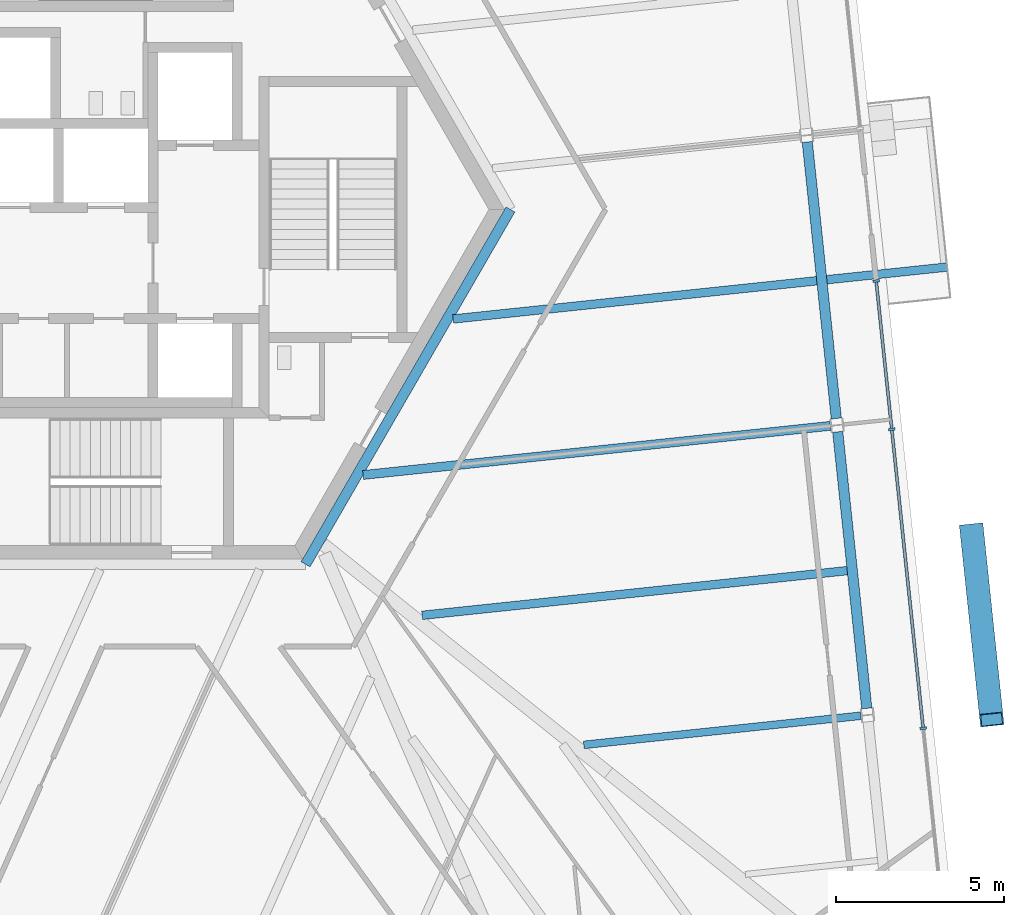
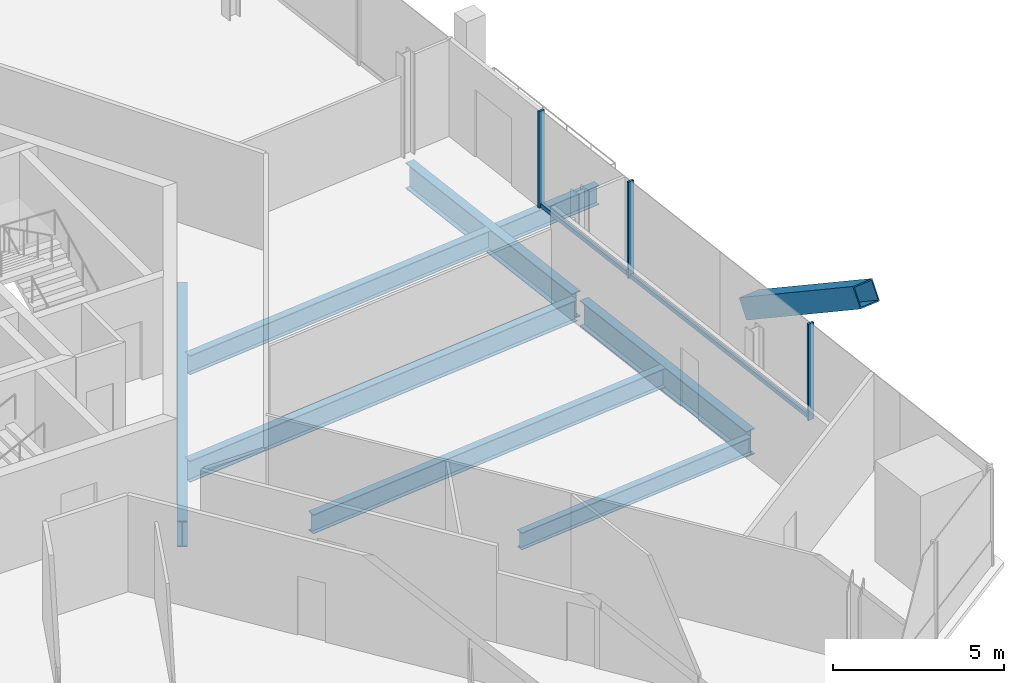
# One storey, part 5 of 18: 8 beams, 6 members, 1 element without a shape of its own.
"""IFC4 building model written with IfcOpenShell, lengths in metres."""

from ifc_helpers import new_model, si_unit, direction, frame, origin, origin_2d, place, context, subcontext, project, spatial, rectangle, hollow_rectangle, i_section, extrude, source, transform, mapped, material, material_profile, profile_set, type_object, element, aggregate, save


model = new_model("IFC4")

# Units and contexts
model_context = context("Model", 3, precision=1e-05, world=origin(), true_north=direction((0.0, 1.0)))
body_context = subcontext(model_context, "Body", "Model", "MODEL_VIEW")
ifc_project = project(units=[si_unit("LENGTHUNIT", "METRE"), si_unit("AREAUNIT", "SQUARE_METRE"), si_unit("VOLUMEUNIT", "CUBIC_METRE"), si_unit("PLANEANGLEUNIT", "RADIAN"), si_unit("MASSUNIT", "GRAM", prefix="KILO")], contexts=[model_context])

# Site, building, storey
site_placement = place(None, origin())
site = spatial("IfcSite", under=ifc_project, at=site_placement, CompositionType="ELEMENT")
building_placement = place(site_placement, origin())
building = spatial("IfcBuilding", under=site, at=building_placement, Name="Triune Harvest Tower", CompositionType="ELEMENT")
storey_placement = place(building_placement, frame((0.0, 0.0, 83.699951171875)))
storey = spatial("IfcBuildingStorey", under=building, at=storey_placement, Name="L20", CompositionType="ELEMENT", Elevation=83.699951171875)

# Curtain wall, members
ifc_material_1 = material(Name="Aluminium bronze anodised", Category="aluminium")
curtain_wall_type = type_object("IfcCurtainWallType", Name="CW-6 Balcony window wall", PredefinedType="NOTDEFINED", material=ifc_material_1)
curtain_wall_placement = place(storey_placement, origin())
curtain_wall = element("IfcCurtainWall", 1, at=curtain_wall_placement, inside=storey, type_object=curtain_wall_type, Name="CW-6 B2-F1 L20 run 1")
ifc_material_2 = material(Name="Aluminium bronze anodised", Category="aluminium")
ifc_material_profile_1 = material_profile(ifc_material_2, rectangle(XDim=0.090087890625, YDim=0.14990234375, at=origin_2d()), Name="TR-6 transom 90 x 150")
ifc_profile_set_1 = profile_set([ifc_material_profile_1], Name="Aluminium bronze anodised")
member_type_1 = type_object("IfcMemberType", Name="TR-6 transom 90 x 150", PredefinedType="USERDEFINED", material=ifc_profile_set_1)
member_1_placement = place(storey_placement, frame((24.439208984375, -15.38037109375, 0.074951171875), z_axis=(-0.104516960396, 0.994523104302, 0.0), x_axis=(-0.994523104302, -0.104516960396, 0.0)))
member_1 = element("IfcMember", 2, at=member_1_placement, type_object=member_type_1, Name="CW-6 transom B2-F1 1.2", ObjectType="TRANSOM", PredefinedType="USERDEFINED", context=body_context, shape_type="SweptSolid", body=[
    extrude(rectangle(XDim=0.090087890625, YDim=0.14990234375, at=origin_2d()), origin(), (0.0, 0.0, 1.0), 8.860107421875),
])
member_2_placement = place(storey_placement, frame((23.50537109375, -6.494384765625, 0.074951171875), z_axis=(-0.104547634105, 0.994519880245, 0.0), x_axis=(-0.994519880245, -0.104547634105, 0.0)))
member_2 = element("IfcMember", 3, at=member_2_placement, type_object=member_type_1, Name="CW-6 transom B2-F1 1.3", ObjectType="TRANSOM", PredefinedType="USERDEFINED", context=body_context, shape_type="SweptSolid", body=[
    extrude(rectangle(XDim=0.090087890625, YDim=0.14990234375, at=origin_2d()), origin(), (0.0, 0.0, 1.0), 4.355224609375),
])

# Beams
ifc_material_3 = material(Name="Steel ASTM A992 Gr 50", Category="steel")
ifc_material_profile_2 = material_profile(ifc_material_3, i_section(OverallWidth=0.3046875, OverallDepth=0.914306640625, WebThickness=0.0166015625, FlangeThickness=0.02587890625, at=origin_2d()), Name="W36x160")
ifc_profile_set_2 = profile_set([ifc_material_profile_2], Name="Steel ASTM A992 Gr 50")
beam_type_1 = type_object("IfcBeamType", Name="CG-1 Core ring girder W36x160", PredefinedType="BEAM", material=ifc_profile_set_2)
shared_shape_1 = source(origin(), body_context, "Body", "SweptSolid", [
    extrude(i_section(OverallWidth=0.3046875, OverallDepth=0.914306640625, WebThickness=0.0166015625, FlangeThickness=0.02587890625, at=origin_2d()), origin(), (0.0, 0.0, 1.0), 12.176025390625),
])
beam_1_placement = place(storey_placement, frame((6.087890625, -10.544677734375, -0.6171875), z_axis=(0.5000099932, 0.866019634131, 0.0), x_axis=(-0.866019634131, 0.5000099932, 0.0)))
element("IfcBeam", 4, at=beam_1_placement, inside=storey, type_object=beam_type_1, Name="beam/L20/CG6", PredefinedType="BEAM", context=body_context, shape_type="MappedRepresentation", body=[
    mapped(shared_shape_1, transform((0.0, 0.0, 0.0), scale=1.0)),
])
ifc_material_4 = material(Name="Steel ASTM A992 Gr 50", Category="steel")
ifc_material_profile_3 = material_profile(ifc_material_4, i_section(OverallWidth=0.3046875, OverallDepth=0.914306640625, WebThickness=0.0166015625, FlangeThickness=0.02587890625, at=origin_2d()), Name="W36x160")
ifc_profile_set_3 = profile_set([ifc_material_profile_3], Name="Steel ASTM A992 Gr 50")
beam_type_2 = type_object("IfcBeamType", Name="SB-1 Spandrel beam W36x160", PredefinedType="SPANDREL", material=ifc_profile_set_3)
shared_shape_2 = source(origin(), body_context, "Body", "SweptSolid", [
    extrude(i_section(OverallWidth=0.3046875, OverallDepth=0.914306640625, WebThickness=0.0166015625, FlangeThickness=0.02587890625, at=origin_2d()), origin(), (0.0, 0.0, 1.0), 8.26318359375),
])
beam_2_placement = place(storey_placement, frame((22.76708984375, -14.826416015625, -0.6171875), z_axis=(-0.104530986234, 0.994521630191, 0.0), x_axis=(-0.994521630191, -0.104530986234, 0.0)))
element("IfcBeam", 5, at=beam_2_placement, inside=storey, type_object=beam_type_2, Name="beam/L20/SB2", PredefinedType="SPANDREL", context=body_context, shape_type="MappedRepresentation", body=[
    mapped(shared_shape_2, transform((0.0, 0.0, 0.0), scale=1.0)),
])
shared_shape_3 = source(origin(), body_context, "Body", "SweptSolid", [
    extrude(i_section(OverallWidth=0.3046875, OverallDepth=0.914306640625, WebThickness=0.0166015625, FlangeThickness=0.02587890625, at=origin_2d()), origin(), (0.0, 0.0, 1.0), 8.263427734375),
])
beam_3_placement = place(storey_placement, frame((21.861572265625, -6.211669921875, -0.6171875), z_axis=(-0.104527914852, 0.994521953009, 0.0), x_axis=(-0.994521953009, -0.104527914852, 0.0)))
element("IfcBeam", 6, at=beam_3_placement, inside=storey, type_object=beam_type_2, Name="beam/L20/SB3", PredefinedType="SPANDREL", context=body_context, shape_type="MappedRepresentation", body=[
    mapped(shared_shape_3, transform((0.0, 0.0, 0.0), scale=1.0)),
])
ifc_material_5 = material(Name="Steel ASTM A992 Gr 50", Category="steel")
ifc_material_profile_4 = material_profile(ifc_material_5, i_section(OverallWidth=0.22900390625, OverallDepth=0.612060546875, WebThickness=0.011962890625, FlangeThickness=0.01953125, at=origin_2d()), Name="W24x84")
ifc_profile_set_4 = profile_set([ifc_material_profile_4], Name="Steel ASTM A992 Gr 50")
beam_type_3 = type_object("IfcBeamType", Name="JT-3 Floor joist W24x84", PredefinedType="JOIST", material=ifc_profile_set_4)
shared_shape_4 = source(origin(), body_context, "Body", "SweptSolid", [
    extrude(i_section(OverallWidth=0.22900390625, OverallDepth=0.612060546875, WebThickness=0.011962890625, FlangeThickness=0.01953125, at=origin_2d()), origin(), (0.0, 0.0, 1.0), 8.28173828125),
])
beam_4_placement = place(storey_placement, frame((22.592041015625, -15.04541015625, -0.466064453125), z_axis=(-0.994521271652, -0.104534397358, 0.0), x_axis=(0.104534397358, -0.994521271652, 0.0)))
element("IfcBeam", 7, at=beam_4_placement, inside=storey, type_object=beam_type_3, Name="beam/L20/JT2", PredefinedType="JOIST", context=body_context, shape_type="MappedRepresentation", body=[
    mapped(shared_shape_4, transform((0.0, 0.0, 0.0), scale=1.0)),
])
ifc_material_6 = material(Name="Steel ASTM A992 Gr 50", Category="steel")
ifc_material_profile_5 = material_profile(ifc_material_6, i_section(OverallWidth=0.253662109375, OverallDepth=0.683349609375, WebThickness=0.012451171875, FlangeThickness=0.01904296875, at=origin_2d()), Name="W27x94")
ifc_profile_set_5 = profile_set([ifc_material_profile_5], Name="Steel ASTM A992 Gr 50")
beam_type_4 = type_object("IfcBeamType", Name="JT-4 Floor joist W27x94", PredefinedType="JOIST", material=ifc_profile_set_5)
shared_shape_5 = source(origin(), body_context, "Body", "SweptSolid", [
    extrude(i_section(OverallWidth=0.253662109375, OverallDepth=0.683349609375, WebThickness=0.012451171875, FlangeThickness=0.01904296875, at=origin_2d()), origin(), (0.0, 0.0, 1.0), 12.70166015625),
])
beam_5_placement = place(storey_placement, frame((22.18359375, -10.7333984375, -0.50146484375), z_axis=(-0.994522291469, -0.104524694556, 0.0), x_axis=(0.104524694556, -0.994522291469, 0.0)))
element("IfcBeam", 8, at=beam_5_placement, inside=storey, type_object=beam_type_4, Name="beam/L20/JT3", PredefinedType="JOIST", context=body_context, shape_type="MappedRepresentation", body=[
    mapped(shared_shape_5, transform((0.0, 0.0, 0.0), scale=1.0)),
])
ifc_material_7 = material(Name="Steel ASTM A992 Gr 50", Category="steel")
ifc_material_profile_6 = material_profile(ifc_material_7, i_section(OverallWidth=0.2666015625, OverallDepth=0.7568359375, WebThickness=0.013916015625, FlangeThickness=0.019287109375, at=origin_2d()), Name="W30x108")
ifc_profile_set_6 = profile_set([ifc_material_profile_6], Name="Steel ASTM A992 Gr 50")
beam_type_5 = type_object("IfcBeamType", Name="JT-5 Floor joist W30x108", PredefinedType="JOIST", material=ifc_profile_set_6)
shared_shape_6 = source(origin(), body_context, "Body", "SweptSolid", [
    extrude(i_section(OverallWidth=0.2666015625, OverallDepth=0.7568359375, WebThickness=0.013916015625, FlangeThickness=0.019287109375, at=origin_2d()), origin(), (0.0, 0.0, 1.0), 13.966552734375),
])
beam_6_placement = place(storey_placement, frame((21.6865234375, -6.4306640625, -0.538330078125), z_axis=(-0.994523349671, -0.104514625579, 0.0), x_axis=(0.104514625579, -0.994523349671, 0.0)))
element("IfcBeam", 9, at=beam_6_placement, inside=storey, type_object=beam_type_5, Name="beam/L20/JT4", PredefinedType="JOIST", context=body_context, shape_type="MappedRepresentation", body=[
    mapped(shared_shape_6, transform((0.0, 0.0, 0.0), scale=1.0)),
])
shared_shape_7 = source(origin(), body_context, "Body", "SweptSolid", [
    extrude(i_section(OverallWidth=0.253662109375, OverallDepth=0.683349609375, WebThickness=0.012451171875, FlangeThickness=0.01904296875, at=origin_2d()), origin(), (0.0, 0.0, 1.0), 10.864501953125),
])
beam_7_placement = place(storey_placement, frame((21.278076171875, -2.11865234375, -0.50146484375), z_axis=(-0.994523292564, -0.104515168984, 0.0), x_axis=(0.104515168984, -0.994523292564, 0.0)))
element("IfcBeam", 10, at=beam_7_placement, inside=storey, type_object=beam_type_4, Name="beam/L20/JT5", PredefinedType="JOIST", context=body_context, shape_type="MappedRepresentation", body=[
    mapped(shared_shape_7, transform((0.0, 0.0, 0.0), scale=1.0)),
])

# Member
ifc_material_8 = material(Name="Steel ASTM A572 Gr 50", Category="steel")
ifc_material_profile_7 = material_profile(ifc_material_8, hollow_rectangle(XDim=0.699951171875, YDim=0.699951171875, WallThickness=0.0400390625, at=origin_2d()), Name="Box 700x700x40")
ifc_profile_set_7 = profile_set([ifc_material_profile_7], Name="Steel ASTM A572 Gr 50")
member_type_2 = type_object("IfcMemberType", Name="BR-1 Brace Box 700x700x40", PredefinedType="BRACE", material=ifc_profile_set_7)
shared_shape_8 = source(origin(), body_context, "Body", "SweptSolid", [
    extrude(hollow_rectangle(XDim=0.699951171875, YDim=0.699951171875, WallThickness=0.0400390625, at=origin_2d()), origin(), (0.0, 0.0, 1.0), 6.702392578125),
])
member_3_placement = place(storey_placement, frame((25.886474609375, -9.535400390625, 0.0), z_axis=(0.088149803266, -0.838880152564, 0.537130991303), x_axis=(0.994524366574, 0.104504948637, 0.0)))
element("IfcMember", 11, at=member_3_placement, inside=storey, type_object=member_type_2, Name="brace/B2-F1/d2/8", PredefinedType="BRACE", context=body_context, shape_type="MappedRepresentation", body=[
    mapped(shared_shape_8, transform((0.0, 0.0, 0.0), scale=1.0)),
])

ifc_material_9 = material(Name="Aluminium bronze anodised", Category="aluminium")
ifc_material_profile_8 = material_profile(ifc_material_9, rectangle(XDim=0.199951171875, YDim=0.074951171875, at=origin_2d()), Name="MU-6 mullion 75 x 200")
ifc_profile_set_8 = profile_set([ifc_material_profile_8], Name="Aluminium bronze anodised")
member_type_3 = type_object("IfcMemberType", Name="MU-6 mullion 75 x 200", PredefinedType="MULLION", material=ifc_profile_set_8)
shared_shape_9 = source(origin(), body_context, "Body", "SweptSolid", [
    extrude(rectangle(XDim=0.199951171875, YDim=0.074951171875, at=origin_2d()), origin(), (0.0, 0.0, 1.0), 3.43994140625),
])
member_4_placement = place(storey_placement, frame((24.443115234375, -15.417724609375, 0.0), z_axis=(0.0, 0.0, 1.0), x_axis=(-0.994521992769, -0.104527536558, 0.0)))
member_4 = element("IfcMember", 12, at=member_4_placement, type_object=member_type_3, Name="CW-6 mullion B2-F1 1.3", PredefinedType="MULLION", context=body_context, shape_type="MappedRepresentation", body=[
    mapped(shared_shape_9, transform((0.0, 0.0, 0.0), scale=1.0)),
])

member_5_placement = place(storey_placement, frame((23.50927734375, -6.531494140625, 0.0), z_axis=(0.0, 0.0, 1.0), x_axis=(-0.994521992769, -0.104527536558, 0.0)))
member_5 = element("IfcMember", 13, at=member_5_placement, type_object=member_type_3, Name="CW-6 mullion B2-F1 1.5", PredefinedType="MULLION", context=body_context, shape_type="MappedRepresentation", body=[
    mapped(shared_shape_9, transform((0.0, 0.0, 0.0), scale=1.0)),
])

member_6_placement = place(storey_placement, frame((23.046142578125, -2.125732421875, 0.0), z_axis=(0.0, 0.0, 1.0), x_axis=(-0.994521992769, -0.104527536558, 0.0)))
member_6 = element("IfcMember", 14, at=member_6_placement, type_object=member_type_3, Name="CW-6 mullion B2-F1 1.6", PredefinedType="MULLION", context=body_context, shape_type="MappedRepresentation", body=[
    mapped(shared_shape_9, transform((0.0, 0.0, 0.0), scale=1.0)),
])

aggregate(curtain_wall, [member_4, member_5, member_6, member_1, member_2])

# Beam
ifc_material_10 = material(Name="Steel ASTM A992 Gr 50", Category="steel")
ifc_material_profile_9 = material_profile(ifc_material_10, i_section(OverallWidth=0.253662109375, OverallDepth=0.683349609375, WebThickness=0.012451171875, FlangeThickness=0.01904296875, at=origin_2d()), Name="W27x94")
ifc_profile_set_9 = profile_set([ifc_material_profile_9], Name="Steel ASTM A992 Gr 50")
beam_type_6 = type_object("IfcBeamType", Name="BJ-4 Balcony cantilever joist W27x94", PredefinedType="JOIST", material=ifc_profile_set_9)
shared_shape_10 = source(origin(), body_context, "Body", "SweptSolid", [
    extrude(i_section(OverallWidth=0.253662109375, OverallDepth=0.683349609375, WebThickness=0.012451171875, FlangeThickness=0.01904296875, at=origin_2d()), origin(), (0.0, 0.0, 1.0), 3.597412109375),
])
beam_8_placement = place(storey_placement, frame((21.581298828125, -2.086669921875, -0.50146484375), z_axis=(0.99452328842, 0.104515208419, 0.0), x_axis=(-0.104515208419, 0.99452328842, 0.0)))
element("IfcBeam", 15, at=beam_8_placement, inside=storey, type_object=beam_type_6, Name="Balcony cantilever joist B2-F1 L20.6a", PredefinedType="JOIST", context=body_context, shape_type="MappedRepresentation", body=[
    mapped(shared_shape_10, transform((0.0, 0.0, 0.0), scale=1.0)),
])

save(model, "model.ifc")
